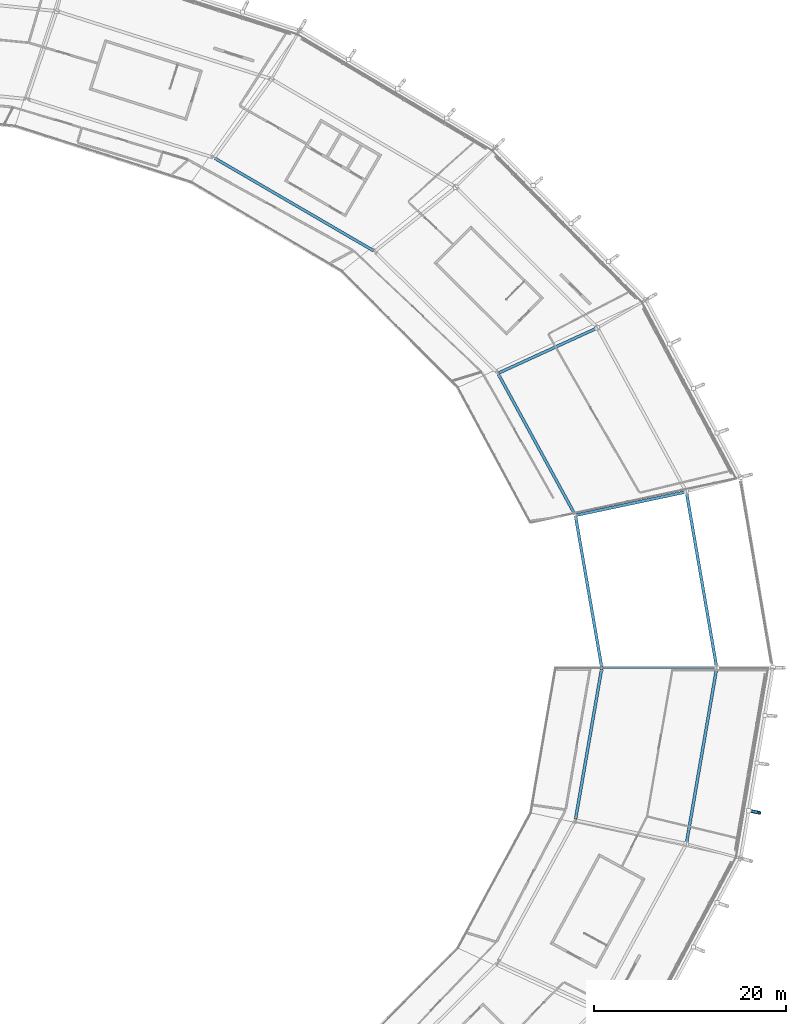
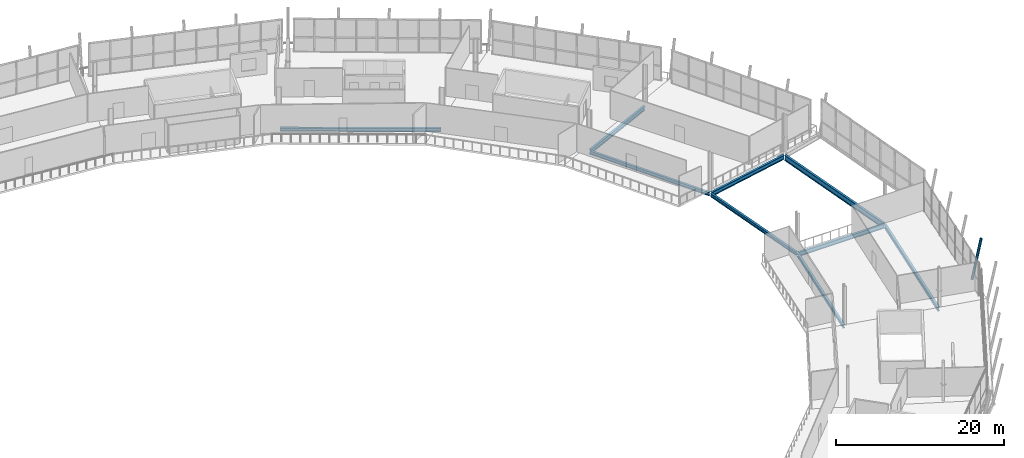
# One storey, part 38 of 99: 9 beams, 1 member.
"""IFC4 building model written with IfcOpenShell, lengths in metres."""

from ifc_helpers import new_model, si_unit, direction, frame, origin, origin_2d, place, context, subcontext, project, spatial, hollow_circle, i_section, extrude, material, material_profile, profile_set, type_object, element, save


model = new_model("IFC4")

# Units and contexts
model_context = context("Model", 3, precision=1e-05, world=origin(), true_north=direction((0.0, 1.0)))
body_context = subcontext(model_context, "Body", "Model", "MODEL_VIEW")
ifc_project = project(units=[si_unit("LENGTHUNIT", "METRE"), si_unit("AREAUNIT", "SQUARE_METRE"), si_unit("VOLUMEUNIT", "CUBIC_METRE"), si_unit("PLANEANGLEUNIT", "RADIAN"), si_unit("MASSUNIT", "GRAM", prefix="KILO")], contexts=[model_context])

# Site, building, storey
site_placement = place(None, origin())
site = spatial("IfcSite", under=ifc_project, at=site_placement, CompositionType="ELEMENT")
building_placement = place(site_placement, origin())
building = spatial("IfcBuilding", under=site, at=building_placement, Name="Zlatoyarsky Gate Stadium", CompositionType="ELEMENT")
storey_placement = place(building_placement, frame((0.0, 0.0, 26.199951171875)))
storey = spatial("IfcBuildingStorey", under=building, at=storey_placement, Name="L05", CompositionType="ELEMENT", Elevation=26.199951171875)

# Member
ifc_material = material(Name="Steel S355", Category="steel")
ifc_material_profile_1 = material_profile(ifc_material, hollow_circle(Radius=0.177734375, WallThickness=0.02001953125, at=origin_2d()), Name="CHS 355.6X20")
ifc_profile_set_1 = profile_set([ifc_material_profile_1], Name="Steel S355")
member_type = type_object("IfcMemberType", Name="STEEL LEANING RIB RING STRUT CHS 355.6X20", PredefinedType="STRUT", material=ifc_profile_set_1)
member_placement = place(storey_placement, frame((207.351318359375, 65.076904296875, -0.510009765625), z_axis=(0.19394459082, -0.038645161546, 0.980251012333), x_axis=(0.195417109791, 0.980720221674, 0.0)))
element("IfcMember", 1, at=member_placement, inside=storey, type_object=member_type, Name="Outward-leaning bowl louvre fin rib L05 23-1", PredefinedType="STRUT", context=body_context, shape_type="SweptSolid", body=[
    extrude(hollow_circle(Radius=0.177734375, WallThickness=0.02001953125, at=origin_2d()), origin(), (0.0, 0.0, 1.0), 5.774169921875),
])

# Beams
ifc_material_profile_2 = material_profile(ifc_material, i_section(OverallWidth=0.300048828125, OverallDepth=0.5, WebThickness=0.014404296875, FlangeThickness=0.028076171875, FilletRadius=0.027099609375, at=origin_2d()), Name="HEB 500")
ifc_profile_set_2 = profile_set([ifc_material_profile_2], Name="Steel S355")
beam_type_1 = type_object("IfcBeamType", Name="STEEL PRIMARY GIRDER HEB 500", PredefinedType="BEAM", material=ifc_profile_set_2)
beam_1_placement = place(storey_placement, frame((191.9794921875, 80.1181640625, -0.510009765625), z_axis=(-0.170843315562, 0.985298209441, 0.0), x_axis=(-0.985298209441, -0.170843315562, 0.0)))
element("IfcBeam", 2, at=beam_1_placement, inside=storey, type_object=beam_type_1, Name="Beam G-HEB500 BM-L05-CRB-00", PredefinedType="BEAM", context=body_context, shape_type="SweptSolid", body=[
    extrude(i_section(OverallWidth=0.300048828125, OverallDepth=0.5, WebThickness=0.014404296875, FlangeThickness=0.028076171875, FilletRadius=0.027099609375, at=origin_2d()), origin(), (0.0, 0.0, 1.0), 15.9150390625),
])
beam_2_placement = place(storey_placement, frame((189.1826171875, 96.022705078125, -0.510009765625), z_axis=(-0.478915800408, 0.877860840976, 0.0), x_axis=(-0.877860840976, -0.478915800408, 0.0)))
element("IfcBeam", 3, at=beam_2_placement, inside=storey, type_object=beam_type_1, Name="Beam G-HEB500 BM-L05-CRB-01", PredefinedType="BEAM", context=body_context, shape_type="SweptSolid", body=[
    extrude(i_section(OverallWidth=0.300048828125, OverallDepth=0.5, WebThickness=0.014404296875, FlangeThickness=0.028076171875, FilletRadius=0.027099609375, at=origin_2d()), origin(), (0.0, 0.0, 1.0), 16.656494140625),
])
beam_3_placement = place(storey_placement, frame((168.171875, 123.547607421875, -0.510009765625), z_axis=(-0.864054462945, 0.503398336375, 0.0), x_axis=(-0.503398336375, -0.864054462945, 0.0)))
element("IfcBeam", 4, at=beam_3_placement, inside=storey, type_object=beam_type_1, Name="Beam G-HEB500 BM-L05-CRB-03", PredefinedType="BEAM", context=body_context, shape_type="SweptSolid", body=[
    extrude(i_section(OverallWidth=0.300048828125, OverallDepth=0.5, WebThickness=0.014404296875, FlangeThickness=0.028076171875, FilletRadius=0.027099609375, at=origin_2d()), origin(), (0.0, 0.0, 1.0), 19.1748046875),
])
beam_4_placement = place(storey_placement, frame((189.260498046875, 64.20068359375, -0.510009765625), z_axis=(0.170843315562, 0.985298209441, 0.0), x_axis=(-0.985298209441, 0.170843315562, 0.0)))
element("IfcBeam", 5, at=beam_4_placement, inside=storey, type_object=beam_type_1, Name="Beam G-HEB500 BM-L05-CRB-23", PredefinedType="BEAM", context=body_context, shape_type="SweptSolid", body=[
    extrude(i_section(OverallWidth=0.300048828125, OverallDepth=0.5, WebThickness=0.014404296875, FlangeThickness=0.028076171875, FilletRadius=0.027099609375, at=origin_2d()), origin(), (0.0, 0.0, 1.0), 15.9150390625),
])
ifc_material_profile_3 = material_profile(ifc_material, i_section(OverallWidth=0.300048828125, OverallDepth=0.60009765625, WebThickness=0.015380859375, FlangeThickness=0.030029296875, FilletRadius=0.027099609375, at=origin_2d()), Name="HEB 600")
ifc_profile_set_3 = profile_set([ifc_material_profile_3], Name="Steel S355")
beam_type_2 = type_object("IfcBeamType", Name="STEEL PRIMARY GIRDER HEB 600", PredefinedType="BEAM", material=ifc_profile_set_3)
beam_5_placement = place(storey_placement, frame((192.1201171875, 80.0, -0.56005859375), z_axis=(1.0, 0.0, 0.0), x_axis=(0.0, 1.0, 0.0)))
element("IfcBeam", 6, at=beam_5_placement, inside=storey, type_object=beam_type_2, Name="Beam G-HEB600 BM-L05-RBC-00", PredefinedType="BEAM", context=body_context, shape_type="SweptSolid", body=[
    extrude(i_section(OverallWidth=0.300048828125, OverallDepth=0.60009765625, WebThickness=0.015380859375, FlangeThickness=0.030029296875, FilletRadius=0.027099609375, at=origin_2d()), origin(), (0.0, 0.0, 1.0), 11.759765625),
])
beam_6_placement = place(storey_placement, frame((189.357421875, 95.9423828125, -0.56005859375), z_axis=(0.978233348926, 0.207507867438, 0.0), x_axis=(-0.207507867438, 0.978233348926, 0.0)))
element("IfcBeam", 7, at=beam_6_placement, inside=storey, type_object=beam_type_2, Name="Beam G-HEB600 BM-L05-RBC-01", PredefinedType="BEAM", context=body_context, shape_type="SweptSolid", body=[
    extrude(i_section(OverallWidth=0.300048828125, OverallDepth=0.60009765625, WebThickness=0.015380859375, FlangeThickness=0.030029296875, FilletRadius=0.027099609375, at=origin_2d()), origin(), (0.0, 0.0, 1.0), 11.60888671875),
])
beam_7_placement = place(storey_placement, frame((181.257080078125, 110.7998046875, -0.56005859375), z_axis=(0.909498994842, 0.415706120213, 0.0), x_axis=(-0.415706120213, 0.909498994842, 0.0)))
element("IfcBeam", 8, at=beam_7_placement, inside=storey, type_object=beam_type_2, Name="Beam G-HEB600 BM-L05-RBC-02", PredefinedType="BEAM", context=body_context, shape_type="SweptSolid", body=[
    extrude(i_section(OverallWidth=0.300048828125, OverallDepth=0.60009765625, WebThickness=0.015380859375, FlangeThickness=0.030029296875, FilletRadius=0.027099609375, at=origin_2d()), origin(), (0.0, 0.0, 1.0), 11.186767578125),
])
beam_8_placement = place(storey_placement, frame((200.8515625, 61.7421875, -0.56005859375), z_axis=(0.169930456666, 0.985456056807, 0.0), x_axis=(-0.985456056807, 0.169930456666, 0.0)))
element("IfcBeam", 9, at=beam_8_placement, inside=storey, type_object=beam_type_2, Name="Beam G-HEB600 BM-L05-CRC-23", PredefinedType="BEAM", context=body_context, shape_type="SweptSolid", body=[
    extrude(i_section(OverallWidth=0.300048828125, OverallDepth=0.60009765625, WebThickness=0.015380859375, FlangeThickness=0.030029296875, FilletRadius=0.027099609375, at=origin_2d()), origin(), (0.0, 0.0, 1.0), 18.4072265625),
])
ifc_material_profile_4 = material_profile(ifc_material, i_section(OverallWidth=0.300048828125, OverallDepth=0.800048828125, WebThickness=0.017578125, FlangeThickness=0.032958984375, FilletRadius=0.030029296875, at=origin_2d()), Name="HEB 800")
ifc_profile_set_4 = profile_set([ifc_material_profile_4], Name="Steel S355")
beam_type_3 = type_object("IfcBeamType", Name="STEEL PRIMARY GIRDER HEB 800", PredefinedType="BEAM", material=ifc_profile_set_4)
beam_9_placement = place(storey_placement, frame((203.9794921875, 80.118408203125, -0.659912109375), z_axis=(-0.169930456666, 0.985456056807, 0.0), x_axis=(-0.985456056807, -0.169930456666, 0.0)))
element("IfcBeam", 10, at=beam_9_placement, inside=storey, type_object=beam_type_3, Name="Beam G-HEB800 BM-L05-CRC-00", PredefinedType="BEAM", context=body_context, shape_type="SweptSolid", body=[
    extrude(i_section(OverallWidth=0.300048828125, OverallDepth=0.800048828125, WebThickness=0.017578125, FlangeThickness=0.032958984375, FilletRadius=0.030029296875, at=origin_2d()), origin(), (0.0, 0.0, 1.0), 18.4072265625),
])

save(model, "model.ifc")
